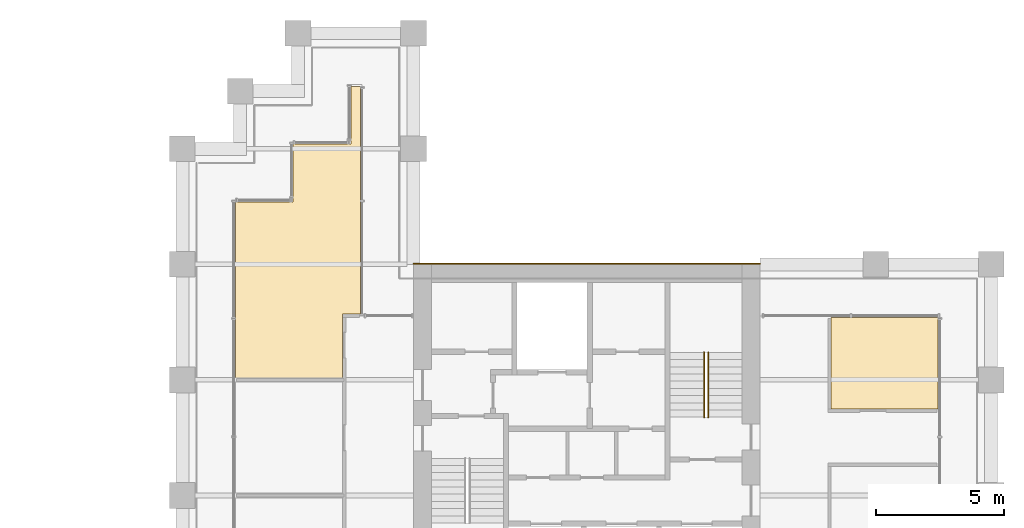
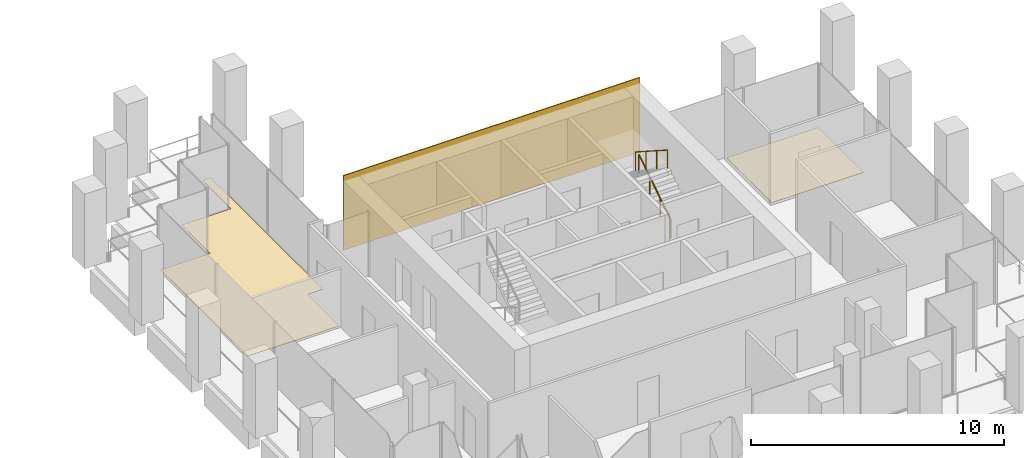
# One storey, part 47 of 47: 3 coverings, 2 railings.
"""IFC4 building model written with IfcOpenShell, lengths in metres."""

from ifc_helpers import new_model, si_unit, direction, frame, origin, origin_2d, place, context, subcontext, project, spatial, polyline, rectangle, circle, outline, extrude, source, transform, mapped, material, layer, layer_set, type_object, element, save


model = new_model("IFC4")

# Units and contexts
model_context = context("Model", 3, precision=1e-05, world=origin(), true_north=direction((0.0, 1.0)))
body_context = subcontext(model_context, "Body", "Model", "MODEL_VIEW")
ifc_project = project(units=[si_unit("LENGTHUNIT", "METRE"), si_unit("AREAUNIT", "SQUARE_METRE"), si_unit("VOLUMEUNIT", "CUBIC_METRE"), si_unit("PLANEANGLEUNIT", "RADIAN"), si_unit("MASSUNIT", "GRAM", prefix="KILO")], contexts=[model_context])

# Site, building, storey
site_placement = place(None, origin())
site = spatial("IfcSite", under=ifc_project, at=site_placement, CompositionType="ELEMENT")
building_placement = place(site_placement, origin())
building = spatial("IfcBuilding", under=site, at=building_placement, Name="Altepetl Exchange Towers", CompositionType="ELEMENT")
storey_placement = place(building_placement, frame((0.0, 0.0, 95.60009765625)))
storey = spatial("IfcBuildingStorey", under=building, at=storey_placement, Name="L23", CompositionType="ELEMENT", Elevation=95.60009765625)

# Coverings
ifc_material_1 = material(Name="Carpet tile")
ifc_layer_1 = layer(ifc_material_1, 0.02001953125)
ifc_layer_set_1 = layer_set([ifc_layer_1], Name="Carpet tile")
covering_type_1 = type_object("IfcCoveringType", Name="Carpet tile floor", PredefinedType="FLOORING", material=ifc_layer_set_1)
covering_1_placement = place(storey_placement, origin())
element("IfcCovering", 1, at=covering_1_placement, inside=storey, type_object=covering_type_1, Name="Pantry floor finish B23.08", PredefinedType="FLOORING", context=body_context, shape_type="SweptSolid", body=[
    extrude(outline(polyline([(119.762451171875, 47.4375), (119.762451171875, 43.862548828125), (123.9375, 43.862548828125), (123.9375, 47.4375), (119.762451171875, 47.4375)])), origin(), (0.0, 0.0, 1.0), 0.02001953125),
])
covering_2_placement = place(storey_placement, origin())
element("IfcCovering", 2, at=covering_2_placement, inside=storey, type_object=covering_type_1, Name="Research office floor finish B23.09", PredefinedType="FLOORING", context=body_context, shape_type="SweptSolid", body=[
    extrude(outline(polyline([(101.4375, 47.5625), (101.4375, 56.4375), (101.0625, 56.4375), (101.0625, 54.1875), (98.8125, 54.1875), (98.8125, 51.9375), (96.5625, 51.9375), (96.5625, 45.0625), (100.737548828125, 45.0625), (100.737548828125, 47.5625), (101.4375, 47.5625)])), origin(), (0.0, 0.0, 1.0), 0.02001953125),
])
ifc_material_2 = material(Name="Cantera limestone cladding", Category="masonry")
ifc_layer_2 = layer(ifc_material_2, 0.0400390625)
ifc_layer_set_2 = layer_set([ifc_layer_2], Name="Cantera limestone cladding")
covering_type_2 = type_object("IfcCoveringType", Name="Stone panel 40 cantera", PredefinedType="CLADDING", material=ifc_layer_set_2)
covering_3_placement = place(storey_placement, frame((110.25, 49.52001953125, -0.000244140625), z_axis=(0.0, 0.0, 1.0), x_axis=(-1.0, 0.0, 0.0)))
element("IfcCovering", 3, at=covering_3_placement, inside=storey, type_object=covering_type_2, Name="Stone cladding panel", PredefinedType="CLADDING", context=body_context, shape_type="SweptSolid", body=[
    extrude(rectangle(XDim=13.5, YDim=0.0400390625, at=origin_2d()), origin(), (0.0, 0.0, 1.0), 3.60009765625),
])

# Railings
ifc_material_3 = material(Name="Steel", Category="steel")
railing_type = type_object("IfcRailingType", Name="Stair handrail 50 steel tube", PredefinedType="HANDRAIL", material=ifc_material_3)
shared_shape = source(origin(), body_context, "Body", "SweptSolid", [
    extrude(circle(Radius=0.02099609375, at=origin_2d()), origin(), (0.0, 0.0, 1.0), 0.851806640625),
])
railing_1_placement = place(storey_placement, frame((114.97998046875, 43.550048828125, 0.179931640625)))
element("IfcRailing", 4, at=railing_1_placement, inside=storey, type_object=railing_type, Name="Stair handrail", PredefinedType="HANDRAIL", context=body_context, shape_type="SweptSolid", body=[
    extrude(circle(Radius=0.02392578125, at=origin_2d()), frame((0.0, 0.0, 0.8759765625), z_axis=(0.0, 0.841199657755, 0.540724639528), x_axis=(-1.0, 0.0, 0.0)), (0.0, 0.0, 1.0), 2.995849609375),
    mapped(shared_shape, transform((0.0, 0.0, 0.0))),
    mapped(shared_shape, transform((0.0, 0.840087890625, 0.5400390625))),
    mapped(shared_shape, transform((0.0, 1.679931640625, 1.079833984375))),
    mapped(shared_shape, transform((0.0, 2.52001953125, 1.619873046875))),
])
railing_2_placement = place(storey_placement, frame((114.820068359375, 46.070068359375, 1.97998046875)))
element("IfcRailing", 5, at=railing_2_placement, inside=storey, type_object=railing_type, Name="Stair handrail", PredefinedType="HANDRAIL", context=body_context, shape_type="SweptSolid", body=[
    extrude(circle(Radius=0.02392578125, at=origin_2d()), frame((0.0, 0.0, 0.8759765625), z_axis=(0.0, -0.841199657755, 0.540724639528), x_axis=(1.0, 0.0, 0.0)), (0.0, 0.0, 1.0), 2.995849609375),
    mapped(shared_shape, transform((0.0, 0.0, 0.0))),
    mapped(shared_shape, transform((0.0, -0.840087890625, 0.5400390625))),
    mapped(shared_shape, transform((0.0, -1.679931640625, 1.079833984375))),
    mapped(shared_shape, transform((0.0, -2.52001953125, 1.619873046875))),
])

save(model, "model.ifc")
